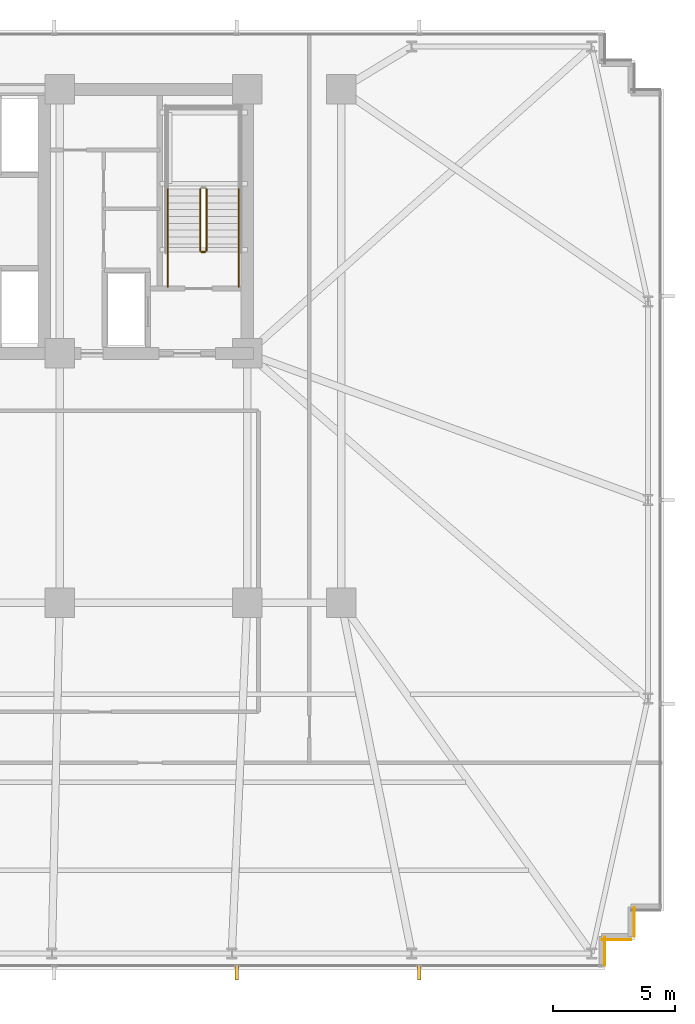
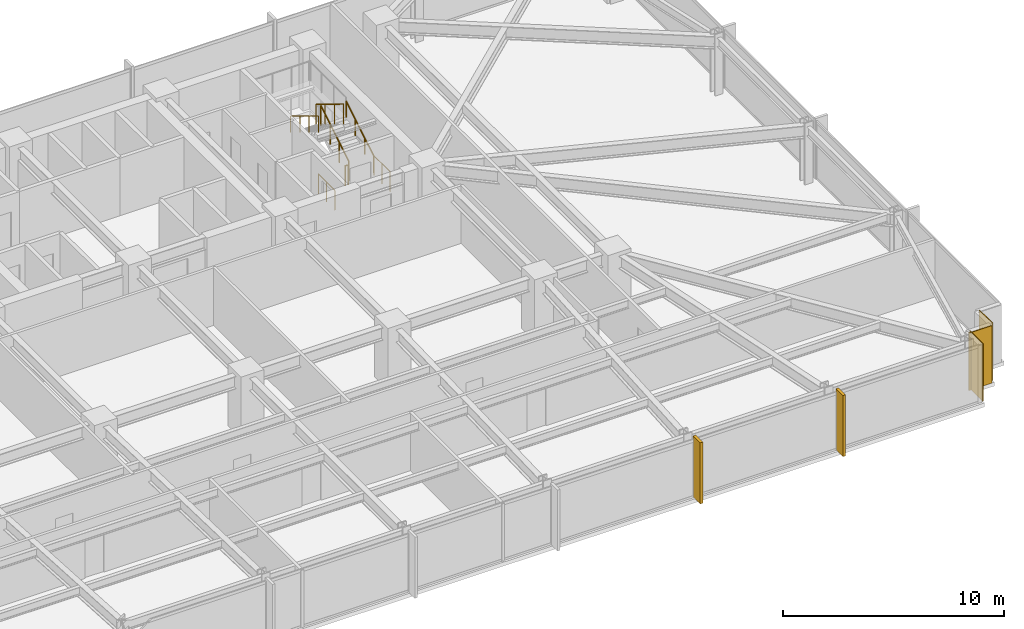
# One storey, part 29 of 32: 7 railings, 3 coverings, 2 shading devices.
"""IFC4 building model written with IfcOpenShell, lengths in metres."""

from ifc_helpers import new_model, si_unit, direction, frame, frame_2d, origin, origin_2d, place, context, subcontext, project, spatial, rectangle, circle, extrude, material, layer, layer_set, type_object, element, save


model = new_model("IFC4")

# Units and contexts
model_context = context("Model", 3, precision=1e-05, world=origin(), true_north=direction((0.0, 1.0)))
body_context = subcontext(model_context, "Body", "Model", "MODEL_VIEW")
ifc_project = project(units=[si_unit("LENGTHUNIT", "METRE"), si_unit("AREAUNIT", "SQUARE_METRE"), si_unit("VOLUMEUNIT", "CUBIC_METRE"), si_unit("PLANEANGLEUNIT", "RADIAN"), si_unit("MASSUNIT", "GRAM", prefix="KILO")], contexts=[model_context])

# Site, building, storey
site_placement = place(None, origin())
site = spatial("IfcSite", under=ifc_project, at=site_placement, CompositionType="ELEMENT")
building_placement = place(site_placement, origin())
building = spatial("IfcBuilding", under=site, at=building_placement, Name="Yelkora Congress Tower", CompositionType="ELEMENT")
storey_placement = place(building_placement, frame((0.0, 0.0, 33.800048828125)))
storey = spatial("IfcBuildingStorey", under=building, at=storey_placement, Name="L07", CompositionType="ELEMENT", Elevation=33.800048828125)

# Coverings
ifc_material_1 = material(Name="Anatolian bush-hammered limestone", Category="masonry")
ifc_layer_1 = layer(ifc_material_1, 0.0400390625)
ifc_layer_set_1 = layer_set([ifc_layer_1], Name="Anatolian bush-hammered limestone")
covering_type = type_object("IfcCoveringType", Name="COV-CLAD-SPANDREL-40", PredefinedType="CLADDING", material=ifc_layer_set_1)
for number, where, z_axis, x_axis, name in (
    (1, (69.594970703125, 12.739990234375, 0.0), (0.0, 0.0, 1.0), (0.0, -1.0, 0.0), "L07 Anatolian Limestone Cladding EW-L07-SR17"),
    (2, (69.4599609375, 11.405029296875, 0.0), (0.0, 0.0, 1.0), (-1.0, 0.0, 0.0), "L07 Anatolian Limestone Cladding EW-L07-SR18"),
    (3, (68.39501953125, 11.5400390625, 0.0), (0.0, 0.0, 1.0), (0.0, -1.0, 0.0), "L07 Anatolian Limestone Cladding EW-L07-SR19"),
):
    element("IfcCovering", number, at=place(storey_placement, frame(where, z_axis=z_axis, x_axis=x_axis)), inside=storey, type_object=covering_type, Name=name, PredefinedType="CLADDING", context=body_context, shape_type="SweptSolid", body=[
        extrude(rectangle(XDim=1.199951171875, YDim=0.0400390625, at=frame_2d((0.60009765625, 0.0))), origin(), (0.0, 0.0, 1.0), 3.179931640625),
    ])

# Railings
ifc_material_2 = material(Name="Painted galvanised steel stair well guard with vertical infill", Category="steel")
ifc_layer_2 = layer(ifc_material_2, 0.06005859375)
ifc_layer_set_2 = layer_set([ifc_layer_2], Name="Painted galvanised steel stair well guard with vertical infill")
railing_type_1 = type_object("IfcRailingType", Name="RAIL-STAIR-GUARD-1120", PredefinedType="GUARDRAIL", material=ifc_layer_set_2)
railing_1_placement = place(storey_placement, frame((52.090087890625, 39.60009765625, 0.169921875)))
element("IfcRailing", 4, at=railing_1_placement, inside=storey, type_object=railing_type_1, Name="ST-02 L07 Stair Well Guardrail 1", PredefinedType="GUARDRAIL", context=body_context, shape_type="SweptSolid", body=[
    extrude(circle(Radius=0.02392578125, at=origin_2d()), frame((0.0, 0.0, 1.09619140625), z_axis=(0.0, 0.85478489116, 0.518982456201), x_axis=(-1.0, 0.0, 0.0)), (0.0, 0.0, 1.0), 2.9482421875),
    extrude(circle(Radius=0.02099609375, at=origin_2d()), origin(), (0.0, 0.0, 1.0), 1.072021484375),
    extrude(circle(Radius=0.02099609375, at=origin_2d()), frame((0.0, 0.840087890625, 0.510009765625)), (0.0, 0.0, 1.0), 1.072021484375),
    extrude(circle(Radius=0.02099609375, at=origin_2d()), frame((0.0, 1.679931640625, 1.02001953125)), (0.0, 0.0, 1.0), 1.072021484375),
    extrude(circle(Radius=0.02099609375, at=origin_2d()), frame((0.0, 2.52001953125, 1.530029296875)), (0.0, 0.0, 1.0), 1.072021484375),
])
railing_2_placement = place(storey_placement, frame((51.830078125, 42.1201171875, 1.869873046875)))
element("IfcRailing", 5, at=railing_2_placement, inside=storey, type_object=railing_type_1, Name="ST-02 L07 Stair Well Guardrail 6", PredefinedType="GUARDRAIL", context=body_context, shape_type="SweptSolid", body=[
    extrude(circle(Radius=0.02392578125, at=origin_2d()), frame((0.0, 0.0, 1.09619140625), z_axis=(0.0, -0.85478489116, 0.518982456201), x_axis=(1.0, 0.0, 0.0)), (0.0, 0.0, 1.0), 2.9482421875),
    extrude(circle(Radius=0.02099609375, at=origin_2d()), origin(), (0.0, 0.0, 1.0), 1.072021484375),
    extrude(circle(Radius=0.02099609375, at=origin_2d()), frame((0.0, -0.840087890625, 0.510009765625)), (0.0, 0.0, 1.0), 1.072021484375),
    extrude(circle(Radius=0.02099609375, at=origin_2d()), frame((0.0, -1.679931640625, 1.02001953125)), (0.0, 0.0, 1.0), 1.072021484375),
    extrude(circle(Radius=0.02099609375, at=origin_2d()), frame((0.0, -2.52001953125, 1.530029296875)), (0.0, 0.0, 1.0), 1.072021484375),
])
railing_3_placement = place(storey_placement, frame((52.0400390625, 39.550048828125, 0.0)))
element("IfcRailing", 6, at=railing_3_placement, inside=storey, type_object=railing_type_1, Name="ST-02 L07 Stair Well Guardrail 7", PredefinedType="GUARDRAIL", context=body_context, shape_type="SweptSolid", body=[
    extrude(circle(Radius=0.02392578125, at=origin_2d()), frame((0.0, 0.0, 1.09619140625), z_axis=(-1.0, 0.0, 0.0), x_axis=(0.0, -1.0, 0.0)), (0.0, 0.0, 1.0), 0.16015625),
    extrude(circle(Radius=0.02099609375, at=origin_2d()), origin(), (0.0, 0.0, 1.0), 1.072021484375),
    extrude(circle(Radius=0.02099609375, at=origin_2d()), frame((-0.16015625, 0.0, 0.0)), (0.0, 0.0, 1.0), 1.072021484375),
])
for number, where, name in (
    (7, (53.409912109375, 38.1201171875, 0.0), "ST-02 L07 Stair Well Guardrail 8"),
    (8, (50.510009765625, 38.1201171875, 0.0), "ST-02 L07 Stair Well Guardrail 9"),
):
    element("IfcRailing", number, at=place(storey_placement, frame(where)), inside=storey, type_object=railing_type_1, Name=name, PredefinedType="GUARDRAIL", context=body_context, shape_type="SweptSolid", body=[
        extrude(circle(Radius=0.02392578125, at=origin_2d()), frame((0.0, 0.0, 1.09619140625), z_axis=(0.0, 1.0, 0.0), x_axis=(-1.0, 0.0, 0.0)), (0.0, 0.0, 1.0), 1.47998046875),
        extrude(circle(Radius=0.02099609375, at=origin_2d()), origin(), (0.0, 0.0, 1.0), 1.072021484375),
        extrude(circle(Radius=0.02099609375, at=origin_2d()), frame((0.0, 0.739990234375, 0.0)), (0.0, 0.0, 1.0), 1.072021484375),
        extrude(circle(Radius=0.02099609375, at=origin_2d()), frame((0.0, 1.47998046875, 0.0)), (0.0, 0.0, 1.0), 1.072021484375),
    ])
ifc_material_3 = material(Name="Brushed stainless steel tubular handrail", Category="steel")
ifc_layer_3 = layer(ifc_material_3, 0.050048828125)
ifc_layer_set_3 = layer_set([ifc_layer_3], Name="Brushed stainless steel tubular handrail")
railing_type_2 = type_object("IfcRailingType", Name="RAIL-STAIR-HAND-920", PredefinedType="HANDRAIL", material=ifc_layer_set_3)
railing_4_placement = place(storey_placement, frame((53.409912109375, 39.60009765625, 0.169921875)))
element("IfcRailing", 9, at=railing_4_placement, inside=storey, type_object=railing_type_2, Name="ST-02 L07 Pitch Handrail 1", PredefinedType="HANDRAIL", context=body_context, shape_type="SweptSolid", body=[
    extrude(circle(Radius=0.02392578125, at=origin_2d()), frame((0.0, 0.0, 0.89599609375), z_axis=(0.0, 0.85478489116, 0.518982456201), x_axis=(-1.0, 0.0, 0.0)), (0.0, 0.0, 1.0), 2.9482421875),
    extrude(circle(Radius=0.02099609375, at=origin_2d()), origin(), (0.0, 0.0, 1.0), 0.871826171875),
    extrude(circle(Radius=0.02099609375, at=origin_2d()), frame((0.0, 0.840087890625, 0.510009765625)), (0.0, 0.0, 1.0), 0.871826171875),
    extrude(circle(Radius=0.02099609375, at=origin_2d()), frame((0.0, 1.679931640625, 1.02001953125)), (0.0, 0.0, 1.0), 0.871826171875),
    extrude(circle(Radius=0.02099609375, at=origin_2d()), frame((0.0, 2.52001953125, 1.530029296875)), (0.0, 0.0, 1.0), 0.871826171875),
])
railing_5_placement = place(storey_placement, frame((50.510009765625, 42.1201171875, 1.869873046875)))
element("IfcRailing", 10, at=railing_5_placement, inside=storey, type_object=railing_type_2, Name="ST-02 L07 Pitch Handrail 2", PredefinedType="HANDRAIL", context=body_context, shape_type="SweptSolid", body=[
    extrude(circle(Radius=0.02392578125, at=origin_2d()), frame((0.0, 0.0, 0.89599609375), z_axis=(0.0, -0.85478489116, 0.518982456201), x_axis=(1.0, 0.0, 0.0)), (0.0, 0.0, 1.0), 2.9482421875),
    extrude(circle(Radius=0.02099609375, at=origin_2d()), origin(), (0.0, 0.0, 1.0), 0.871826171875),
    extrude(circle(Radius=0.02099609375, at=origin_2d()), frame((0.0, -0.840087890625, 0.510009765625)), (0.0, 0.0, 1.0), 0.871826171875),
    extrude(circle(Radius=0.02099609375, at=origin_2d()), frame((0.0, -1.679931640625, 1.02001953125)), (0.0, 0.0, 1.0), 0.871826171875),
    extrude(circle(Radius=0.02099609375, at=origin_2d()), frame((0.0, -2.52001953125, 1.530029296875)), (0.0, 0.0, 1.0), 0.871826171875),
])

# Shading devices
ifc_material_4 = material(Name="Champagne anodised aluminium", Category="aluminium")
ifc_layer_4 = layer(ifc_material_4, 3.39990234375)
ifc_layer_set_4 = layer_set([ifc_layer_4], Name="Champagne anodised aluminium")
shading_device_type = type_object("IfcShadingDeviceType", Name="SHD-FIN-ALU-640", PredefinedType="USERDEFINED", material=ifc_layer_set_4)
for number, where, z_axis, x_axis, name in (
    (11, (60.794921875, 10.080078125, -0.030029296875), (0.0, 0.0, 1.0), (-1.0, 0.0, 0.0), "L07 Vertical Anodised Solar Fin 20-1"),
    (12, (53.330078125, 10.080078125, -0.030029296875), (0.0, 0.0, 1.0), (-1.0, 0.0, 0.0), "L07 Vertical Anodised Solar Fin 20-2"),
):
    element("IfcShadingDevice", number, at=place(storey_placement, frame(where, z_axis=z_axis, x_axis=x_axis)), inside=storey, type_object=shading_device_type, Name=name, ObjectType="FIN", PredefinedType="USERDEFINED", context=body_context, shape_type="SweptSolid", body=[
        extrude(rectangle(XDim=0.139892578125, YDim=0.639892578125, at=origin_2d()), origin(), (0.0, 0.0, 1.0), 3.3798828125),
    ])

save(model, "model.ifc")
